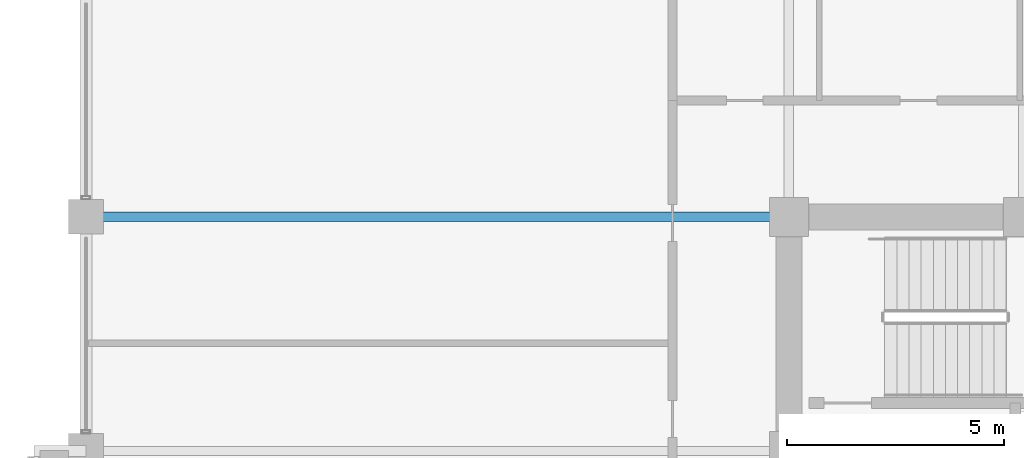
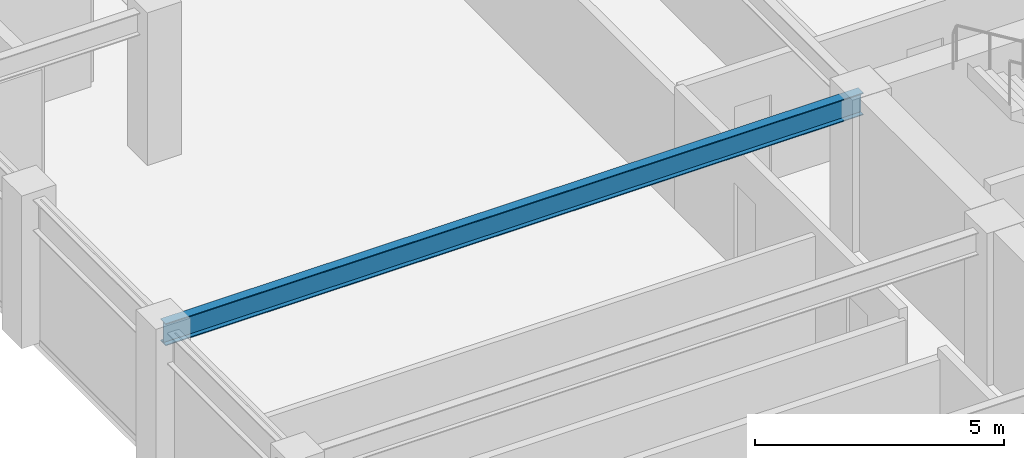
# One storey, part 15 of 30: 1 beam.
"""IFC4 building model written with IfcOpenShell, lengths in metres."""

from ifc_helpers import new_model, si_unit, direction, frame, origin, origin_2d, place, context, subcontext, project, spatial, i_section, extrude, material, material_profile, profile_set, type_object, element, save


model = new_model("IFC4")

# Units and contexts
model_context = context("Model", 3, precision=1e-05, world=origin(), true_north=direction((0.0, 1.0)))
body_context = subcontext(model_context, "Body", "Model", "MODEL_VIEW")
ifc_project = project(units=[si_unit("LENGTHUNIT", "METRE"), si_unit("AREAUNIT", "SQUARE_METRE"), si_unit("VOLUMEUNIT", "CUBIC_METRE"), si_unit("PLANEANGLEUNIT", "RADIAN"), si_unit("MASSUNIT", "GRAM", prefix="KILO")], contexts=[model_context])

# Site, building, storey
site_placement = place(None, origin())
site = spatial("IfcSite", under=ifc_project, at=site_placement, CompositionType="ELEMENT")
building_placement = place(site_placement, origin())
building = spatial("IfcBuilding", under=site, at=building_placement, Name="Surkhivell Harbour Commons", CompositionType="ELEMENT")
storey_placement = place(building_placement, frame((0.0, 0.0, 231.0)))
storey = spatial("IfcBuildingStorey", under=building, at=storey_placement, Name="L60", CompositionType="ELEMENT", Elevation=231.0)

# Beam
ifc_material = material(Name="Steel S355", Category="steel")
ifc_material_profile = material_profile(ifc_material, i_section(OverallWidth=0.2119140625, OverallDepth=0.5439453125, WebThickness=0.0126953125, FlangeThickness=0.021240234375, at=origin_2d()), Name="UB533x210x122")
ifc_profile_set = profile_set([ifc_material_profile], Name="Steel S355")
beam_type = type_object("IfcBeamType", Name="BM-GRD-533A", PredefinedType="BEAM", material=ifc_profile_set)
beam_placement = place(storey_placement, frame((-27.0, 10.800048828125, 3.298095703125), z_axis=(1.0, 0.0, 0.0), x_axis=(0.0, 1.0, 0.0)))
element("IfcBeam", 1, at=beam_placement, inside=storey, type_object=beam_type, Name="L60 Floor Girder (-27.0,10.8)", PredefinedType="BEAM", context=body_context, shape_type="SweptSolid", body=[
    extrude(i_section(OverallWidth=0.2119140625, OverallDepth=0.5439453125, WebThickness=0.0126953125, FlangeThickness=0.021240234375, at=origin_2d()), origin(), (0.0, 0.0, 1.0), 16.199951171875),
])

save(model, "model.ifc")
